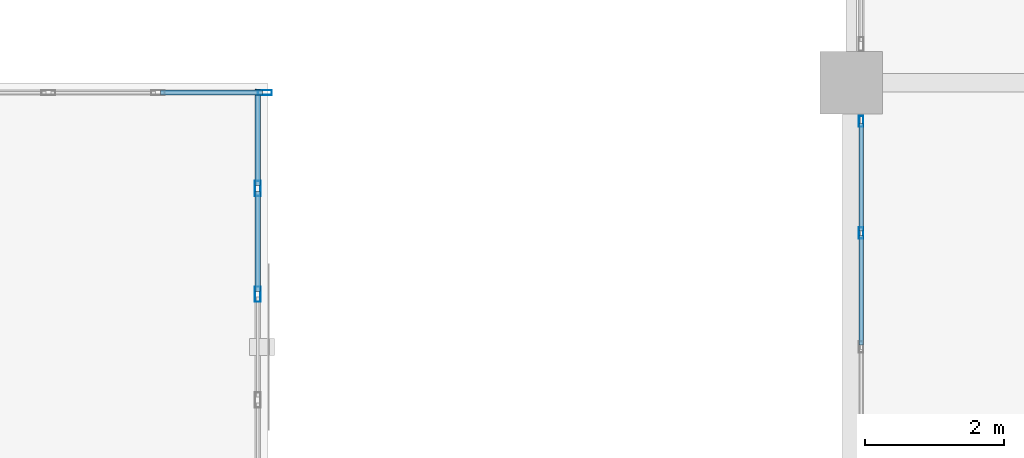
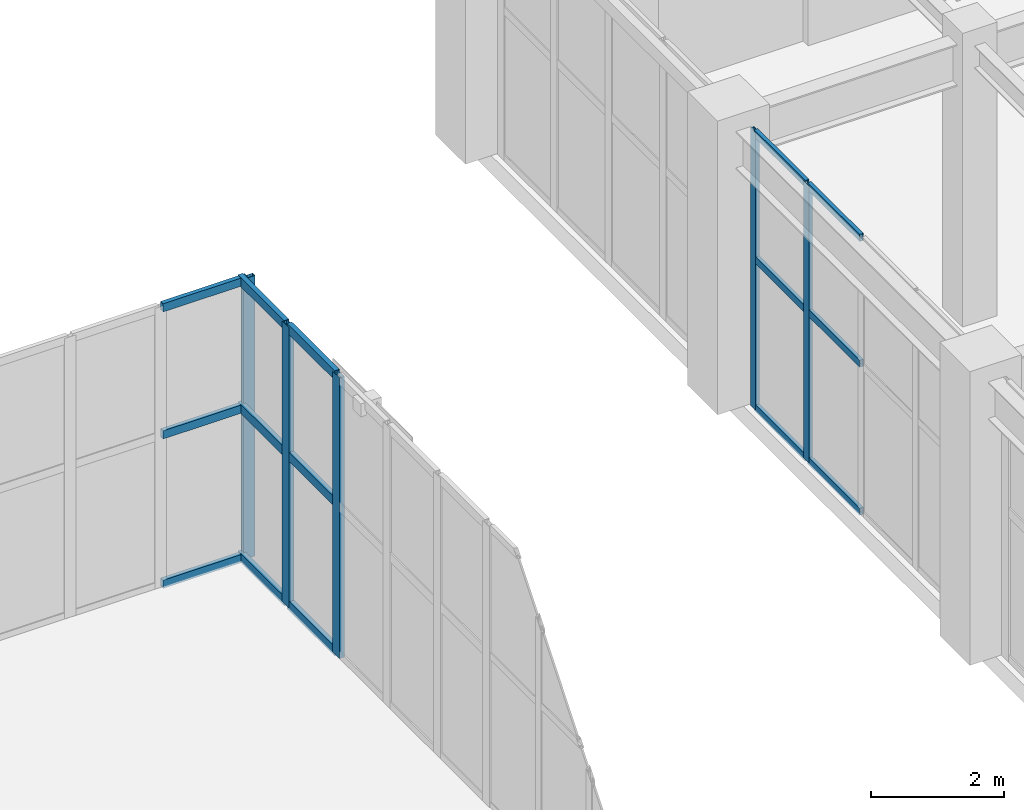
# One storey, part 55 of 139: 20 members, 3 elements without a shape of their own.
"""IFC4 building model written with IfcOpenShell, lengths in metres."""

from ifc_helpers import new_model, si_unit, direction, frame, origin, origin_2d, place, context, subcontext, project, spatial, hollow_rectangle, extrude, material, layer, layer_set, material_profile, profile_set, type_object, element, aggregate, save


model = new_model("IFC4")

# Units and contexts
model_context = context("Model", 3, precision=1e-05, world=origin(), true_north=direction((0.0, 1.0)))
body_context = subcontext(model_context, "Body", "Model", "MODEL_VIEW")
ifc_project = project(units=[si_unit("LENGTHUNIT", "METRE"), si_unit("AREAUNIT", "SQUARE_METRE"), si_unit("VOLUMEUNIT", "CUBIC_METRE"), si_unit("PLANEANGLEUNIT", "RADIAN"), si_unit("MASSUNIT", "GRAM", prefix="KILO")], contexts=[model_context])

# Site, building, storey
site_placement = place(None, origin())
site = spatial("IfcSite", under=ifc_project, at=site_placement, CompositionType="ELEMENT")
building_placement = place(site_placement, origin())
building = spatial("IfcBuilding", under=site, at=building_placement, Name="Xicomal Pleat Aquarium", CompositionType="ELEMENT")
storey_placement = place(building_placement, origin())
storey = spatial("IfcBuildingStorey", under=building, at=storey_placement, Name="L01", CompositionType="ELEMENT", Elevation=0.0)

# Curtain wall, members
ifc_material_1 = material(Name="Bronze anodized aluminium 6063-T6", Category="aluminium")
ifc_layer_1 = layer(ifc_material_1, 0.159912109375)
ifc_layer_set_1 = layer_set([ifc_layer_1], Name="Bronze anodized aluminium 6063-T6")
curtain_wall_type_1 = type_object("IfcCurtainWallType", Name="CW-SYS-01", PredefinedType="NOTDEFINED", material=ifc_layer_set_1)
curtain_wall_1_placement = place(storey_placement, origin())
curtain_wall_1 = element("IfcCurtainWall", 1, at=curtain_wall_1_placement, inside=storey, type_object=curtain_wall_type_1, Name="L01 unitised curtain wall CW-L01-033", PredefinedType="NOTDEFINED")
ifc_material_2 = material(Name="Bronze anodized aluminium 6063-T6", Category="aluminium")
ifc_material_profile_1 = material_profile(ifc_material_2, hollow_rectangle(XDim=0.06494140625, YDim=0.159912109375, WallThickness=0.00390625, at=origin_2d()), Name="ALU MULL 65x160")
ifc_profile_set_1 = profile_set([ifc_material_profile_1], Name="Bronze anodized aluminium 6063-T6")
member_type_1 = type_object("IfcMemberType", Name="CWM-65x160", PredefinedType="MULLION", material=ifc_profile_set_1)
member_1_placement = place(storey_placement, frame((43.93994140625, 73.840087890625, 0.0), z_axis=(0.0, 0.0, 1.0), x_axis=(-1.0, 0.0, 0.0)))
member_1 = element("IfcMember", 2, at=member_1_placement, type_object=member_type_1, Name="CW-01 mullion 4", PredefinedType="MULLION", context=body_context, shape_type="SweptSolid", body=[
    extrude(hollow_rectangle(XDim=0.06494140625, YDim=0.159912109375, WallThickness=0.00390625, at=origin_2d()), origin(), (0.0, 0.0, 1.0), 5.10009765625),
])
member_2_placement = place(storey_placement, frame((43.93994140625, 75.447509765625, 0.0), z_axis=(0.0, 0.0, 1.0), x_axis=(-1.0, 0.0, 0.0)))
member_2 = element("IfcMember", 3, at=member_2_placement, type_object=member_type_1, Name="CW-01 mullion 5", PredefinedType="MULLION", context=body_context, shape_type="SweptSolid", body=[
    extrude(hollow_rectangle(XDim=0.06494140625, YDim=0.159912109375, WallThickness=0.00390625, at=origin_2d()), origin(), (0.0, 0.0, 1.0), 5.10009765625),
])

# Curtain wall, member
ifc_material_3 = material(Name="Bronze anodized aluminium 6063-T6", Category="aluminium")
ifc_layer_2 = layer(ifc_material_3, 0.159912109375)
ifc_layer_set_2 = layer_set([ifc_layer_2], Name="Bronze anodized aluminium 6063-T6")
curtain_wall_type_2 = type_object("IfcCurtainWallType", Name="CW-SYS-06", PredefinedType="NOTDEFINED", material=ifc_layer_set_2)
curtain_wall_2_placement = place(storey_placement, origin())
curtain_wall_2 = element("IfcCurtainWall", 4, at=curtain_wall_2_placement, inside=storey, type_object=curtain_wall_type_2, Name="L01 unitised curtain wall CW-L01-022", PredefinedType="NOTDEFINED")
ifc_material_4 = material(Name="Bronze anodized aluminium 6063-T6", Category="aluminium")
ifc_material_profile_2 = material_profile(ifc_material_4, hollow_rectangle(XDim=0.074951171875, YDim=0.199951171875, WallThickness=0.00439453125, at=origin_2d()), Name="ALU MULL 75x200")
ifc_profile_set_2 = profile_set([ifc_material_profile_2], Name="Bronze anodized aluminium 6063-T6")
member_type_2 = type_object("IfcMemberType", Name="CWM-75x200", PredefinedType="MULLION", material=ifc_profile_set_2)
member_3_placement = place(storey_placement, frame((35.362548828125, 75.860107421875, 0.0), z_axis=(0.0, 0.0, 1.0), x_axis=(0.0, 1.0, 0.0)))
member_3 = element("IfcMember", 5, at=member_3_placement, type_object=member_type_2, Name="CW-06 mullion 6", PredefinedType="MULLION", context=body_context, shape_type="SweptSolid", body=[
    extrude(hollow_rectangle(XDim=0.074951171875, YDim=0.199951171875, WallThickness=0.00439453125, at=origin_2d()), origin(), (0.0, 0.0, 1.0), 5.159912109375),
])

# Curtain wall, members
ifc_material_5 = material(Name="Bronze anodized aluminium 6063-T6", Category="aluminium")
ifc_layer_3 = layer(ifc_material_5, 0.159912109375)
ifc_layer_set_3 = layer_set([ifc_layer_3], Name="Bronze anodized aluminium 6063-T6")
curtain_wall_type_3 = type_object("IfcCurtainWallType", Name="CW-SYS-11", PredefinedType="NOTDEFINED", material=ifc_layer_set_3)
curtain_wall_3_placement = place(storey_placement, origin())
curtain_wall_3 = element("IfcCurtainWall", 6, at=curtain_wall_3_placement, inside=storey, type_object=curtain_wall_type_3, Name="L01 unitised curtain wall CW-L01-023", PredefinedType="NOTDEFINED")
ifc_material_6 = material(Name="Bronze anodized aluminium 6063-T6", Category="aluminium")
ifc_material_profile_3 = material_profile(ifc_material_6, hollow_rectangle(XDim=0.0849609375, YDim=0.219970703125, WallThickness=0.0048828125, at=origin_2d()), Name="ALU MULL 85x220")
ifc_profile_set_3 = profile_set([ifc_material_profile_3], Name="Bronze anodized aluminium 6063-T6")
member_type_3 = type_object("IfcMemberType", Name="CWM-85x220", PredefinedType="MULLION", material=ifc_profile_set_3)
member_4_placement = place(storey_placement, frame((35.260009765625, 74.47998046875, 0.0), z_axis=(0.0, 0.0, 1.0), x_axis=(1.0, 0.0, 0.0)))
member_4 = element("IfcMember", 7, at=member_4_placement, type_object=member_type_3, Name="CW-11 mullion 2", PredefinedType="MULLION", context=body_context, shape_type="SweptSolid", body=[
    extrude(hollow_rectangle(XDim=0.0849609375, YDim=0.219970703125, WallThickness=0.0048828125, at=origin_2d()), origin(), (0.0, 0.0, 1.0), 5.159912109375),
])
member_5_placement = place(storey_placement, frame((35.260009765625, 72.9599609375, 0.0), z_axis=(0.0, 0.0, 1.0), x_axis=(1.0, 0.0, 0.0)))
member_5 = element("IfcMember", 8, at=member_5_placement, type_object=member_type_3, Name="CW-11 mullion 3", PredefinedType="MULLION", context=body_context, shape_type="SweptSolid", body=[
    extrude(hollow_rectangle(XDim=0.0849609375, YDim=0.219970703125, WallThickness=0.0048828125, at=origin_2d()), origin(), (0.0, 0.0, 1.0), 5.159912109375),
])

# Member
ifc_material_7 = material(Name="Bronze anodized aluminium 6063-T6", Category="aluminium")
ifc_material_profile_4 = material_profile(ifc_material_7, hollow_rectangle(XDim=0.06494140625, YDim=0.1298828125, WallThickness=0.00390625, at=origin_2d()), Name="ALU TRAN 65x130")
ifc_profile_set_4 = profile_set([ifc_material_profile_4], Name="Bronze anodized aluminium 6063-T6")
member_type_4 = type_object("IfcMemberType", Name="CWT-65x130", PredefinedType="USERDEFINED", material=ifc_profile_set_4)
member_6_placement = place(storey_placement, frame((43.93994140625, 72.232421875, 0.032470703125), z_axis=(0.0, 1.0, 0.0), x_axis=(-1.0, 0.0, 0.0)))
member_6 = element("IfcMember", 9, at=member_6_placement, type_object=member_type_4, Name="CW-01 transom 3.1", ObjectType="TRANSOM", PredefinedType="USERDEFINED", context=body_context, shape_type="SweptSolid", body=[
    extrude(hollow_rectangle(XDim=0.06494140625, YDim=0.1298828125, WallThickness=0.00390625, at=origin_2d()), origin(), (0.0, 0.0, 1.0), 1.5751953125),
])

member_7_placement = place(storey_placement, frame((43.93994140625, 72.232421875, 2.75390625), z_axis=(0.0, 1.0, 0.0), x_axis=(-1.0, 0.0, 0.0)))
member_7 = element("IfcMember", 10, at=member_7_placement, type_object=member_type_4, Name="CW-01 transom 3.2", ObjectType="TRANSOM", PredefinedType="USERDEFINED", context=body_context, shape_type="SweptSolid", body=[
    extrude(hollow_rectangle(XDim=0.06494140625, YDim=0.1298828125, WallThickness=0.00390625, at=origin_2d()), origin(), (0.0, 0.0, 1.0), 1.5751953125),
])

member_8_placement = place(storey_placement, frame((43.93994140625, 72.232421875, 5.0673828125), z_axis=(0.0, 1.0, 0.0), x_axis=(-1.0, 0.0, 0.0)))
member_8 = element("IfcMember", 11, at=member_8_placement, type_object=member_type_4, Name="CW-01 transom 3.3", ObjectType="TRANSOM", PredefinedType="USERDEFINED", context=body_context, shape_type="SweptSolid", body=[
    extrude(hollow_rectangle(XDim=0.06494140625, YDim=0.1298828125, WallThickness=0.00390625, at=origin_2d()), origin(), (0.0, 0.0, 1.0), 1.5751953125),
])

member_9_placement = place(storey_placement, frame((43.93994140625, 73.87255859375, 0.032470703125), z_axis=(0.0, 1.0, 0.0), x_axis=(-1.0, 0.0, 0.0)))
member_9 = element("IfcMember", 12, at=member_9_placement, type_object=member_type_4, Name="CW-01 transom 4.1", ObjectType="TRANSOM", PredefinedType="USERDEFINED", context=body_context, shape_type="SweptSolid", body=[
    extrude(hollow_rectangle(XDim=0.06494140625, YDim=0.1298828125, WallThickness=0.00390625, at=origin_2d()), origin(), (0.0, 0.0, 1.0), 1.54248046875),
])

member_10_placement = place(storey_placement, frame((43.93994140625, 73.87255859375, 2.75390625), z_axis=(0.0, 1.0, 0.0), x_axis=(-1.0, 0.0, 0.0)))
member_10 = element("IfcMember", 13, at=member_10_placement, type_object=member_type_4, Name="CW-01 transom 4.2", ObjectType="TRANSOM", PredefinedType="USERDEFINED", context=body_context, shape_type="SweptSolid", body=[
    extrude(hollow_rectangle(XDim=0.06494140625, YDim=0.1298828125, WallThickness=0.00390625, at=origin_2d()), origin(), (0.0, 0.0, 1.0), 1.54248046875),
])

member_11_placement = place(storey_placement, frame((43.93994140625, 73.87255859375, 5.0673828125), z_axis=(0.0, 1.0, 0.0), x_axis=(-1.0, 0.0, 0.0)))
member_11 = element("IfcMember", 14, at=member_11_placement, type_object=member_type_4, Name="CW-01 transom 4.3", ObjectType="TRANSOM", PredefinedType="USERDEFINED", context=body_context, shape_type="SweptSolid", body=[
    extrude(hollow_rectangle(XDim=0.06494140625, YDim=0.1298828125, WallThickness=0.00390625, at=origin_2d()), origin(), (0.0, 0.0, 1.0), 1.54248046875),
])

aggregate(curtain_wall_1, [member_1, member_2, member_6, member_7, member_8, member_9, member_10, member_11])

ifc_material_8 = material(Name="Bronze anodized aluminium 6063-T6", Category="aluminium")
ifc_material_profile_5 = material_profile(ifc_material_8, hollow_rectangle(XDim=0.074951171875, YDim=0.14990234375, WallThickness=0.00439453125, at=origin_2d()), Name="ALU TRAN 75x150")
ifc_profile_set_5 = profile_set([ifc_material_profile_5], Name="Bronze anodized aluminium 6063-T6")
member_type_5 = type_object("IfcMemberType", Name="CWT-75x150", PredefinedType="USERDEFINED", material=ifc_profile_set_5)
member_12_placement = place(storey_placement, frame((33.861572265625, 75.860107421875, 0.03759765625), z_axis=(1.0, 0.0, 0.0), x_axis=(0.0, 1.0, 0.0)))
member_12 = element("IfcMember", 15, at=member_12_placement, type_object=member_type_5, Name="CW-06 transom 5.1", ObjectType="TRANSOM", PredefinedType="USERDEFINED", context=body_context, shape_type="SweptSolid", body=[
    extrude(hollow_rectangle(XDim=0.074951171875, YDim=0.14990234375, WallThickness=0.00439453125, at=origin_2d()), origin(), (0.0, 0.0, 1.0), 1.46337890625),
])

member_13_placement = place(storey_placement, frame((33.861572265625, 75.860107421875, 2.785888671875), z_axis=(1.0, 0.0, 0.0), x_axis=(0.0, 1.0, 0.0)))
member_13 = element("IfcMember", 16, at=member_13_placement, type_object=member_type_5, Name="CW-06 transom 5.2", ObjectType="TRANSOM", PredefinedType="USERDEFINED", context=body_context, shape_type="SweptSolid", body=[
    extrude(hollow_rectangle(XDim=0.074951171875, YDim=0.14990234375, WallThickness=0.00439453125, at=origin_2d()), origin(), (0.0, 0.0, 1.0), 1.46337890625),
])

member_14_placement = place(storey_placement, frame((33.861572265625, 75.860107421875, 5.12255859375), z_axis=(1.0, 0.0, 0.0), x_axis=(0.0, 1.0, 0.0)))
member_14 = element("IfcMember", 17, at=member_14_placement, type_object=member_type_5, Name="CW-06 transom 5.3", ObjectType="TRANSOM", PredefinedType="USERDEFINED", context=body_context, shape_type="SweptSolid", body=[
    extrude(hollow_rectangle(XDim=0.074951171875, YDim=0.14990234375, WallThickness=0.00439453125, at=origin_2d()), origin(), (0.0, 0.0, 1.0), 1.46337890625),
])

aggregate(curtain_wall_2, [member_3, member_12, member_13, member_14])

ifc_material_9 = material(Name="Bronze anodized aluminium 6063-T6", Category="aluminium")
ifc_material_profile_6 = material_profile(ifc_material_9, hollow_rectangle(XDim=0.0849609375, YDim=0.169921875, WallThickness=0.0048828125, at=origin_2d()), Name="ALU TRAN 85x170")
ifc_profile_set_6 = profile_set([ifc_material_profile_6], Name="Bronze anodized aluminium 6063-T6")
member_type_6 = type_object("IfcMemberType", Name="CWT-85x170", PredefinedType="USERDEFINED", material=ifc_profile_set_6)
member_15_placement = place(storey_placement, frame((35.260009765625, 75.9150390625, 0.04248046875), z_axis=(0.0, -1.0, 0.0), x_axis=(1.0, 0.0, 0.0)))
member_15 = element("IfcMember", 18, at=member_15_placement, type_object=member_type_6, Name="CW-11 transom 1.1", ObjectType="TRANSOM", PredefinedType="USERDEFINED", context=body_context, shape_type="SweptSolid", body=[
    extrude(hollow_rectangle(XDim=0.0849609375, YDim=0.169921875, WallThickness=0.0048828125, at=origin_2d()), origin(), (0.0, 0.0, 1.0), 1.392578125),
])

member_16_placement = place(storey_placement, frame((35.260009765625, 75.9150390625, 2.785888671875), z_axis=(0.0, -1.0, 0.0), x_axis=(1.0, 0.0, 0.0)))
member_16 = element("IfcMember", 19, at=member_16_placement, type_object=member_type_6, Name="CW-11 transom 1.2", ObjectType="TRANSOM", PredefinedType="USERDEFINED", context=body_context, shape_type="SweptSolid", body=[
    extrude(hollow_rectangle(XDim=0.0849609375, YDim=0.169921875, WallThickness=0.0048828125, at=origin_2d()), origin(), (0.0, 0.0, 1.0), 1.392578125),
])

member_17_placement = place(storey_placement, frame((35.260009765625, 75.9150390625, 5.117431640625), z_axis=(0.0, -1.0, 0.0), x_axis=(1.0, 0.0, 0.0)))
member_17 = element("IfcMember", 20, at=member_17_placement, type_object=member_type_6, Name="CW-11 transom 1.3", ObjectType="TRANSOM", PredefinedType="USERDEFINED", context=body_context, shape_type="SweptSolid", body=[
    extrude(hollow_rectangle(XDim=0.0849609375, YDim=0.169921875, WallThickness=0.0048828125, at=origin_2d()), origin(), (0.0, 0.0, 1.0), 1.392578125),
])

member_18_placement = place(storey_placement, frame((35.260009765625, 74.4375, 0.04248046875), z_axis=(0.0, -1.0, 0.0), x_axis=(1.0, 0.0, 0.0)))
member_18 = element("IfcMember", 21, at=member_18_placement, type_object=member_type_6, Name="CW-11 transom 2.1", ObjectType="TRANSOM", PredefinedType="USERDEFINED", context=body_context, shape_type="SweptSolid", body=[
    extrude(hollow_rectangle(XDim=0.0849609375, YDim=0.169921875, WallThickness=0.0048828125, at=origin_2d()), origin(), (0.0, 0.0, 1.0), 1.43505859375),
])

member_19_placement = place(storey_placement, frame((35.260009765625, 74.4375, 2.785888671875), z_axis=(0.0, -1.0, 0.0), x_axis=(1.0, 0.0, 0.0)))
member_19 = element("IfcMember", 22, at=member_19_placement, type_object=member_type_6, Name="CW-11 transom 2.2", ObjectType="TRANSOM", PredefinedType="USERDEFINED", context=body_context, shape_type="SweptSolid", body=[
    extrude(hollow_rectangle(XDim=0.0849609375, YDim=0.169921875, WallThickness=0.0048828125, at=origin_2d()), origin(), (0.0, 0.0, 1.0), 1.43505859375),
])

member_20_placement = place(storey_placement, frame((35.260009765625, 74.4375, 5.117431640625), z_axis=(0.0, -1.0, 0.0), x_axis=(1.0, 0.0, 0.0)))
member_20 = element("IfcMember", 23, at=member_20_placement, type_object=member_type_6, Name="CW-11 transom 2.3", ObjectType="TRANSOM", PredefinedType="USERDEFINED", context=body_context, shape_type="SweptSolid", body=[
    extrude(hollow_rectangle(XDim=0.0849609375, YDim=0.169921875, WallThickness=0.0048828125, at=origin_2d()), origin(), (0.0, 0.0, 1.0), 1.43505859375),
])

aggregate(curtain_wall_3, [member_4, member_5, member_15, member_16, member_17, member_18, member_19, member_20])

save(model, "model.ifc")
